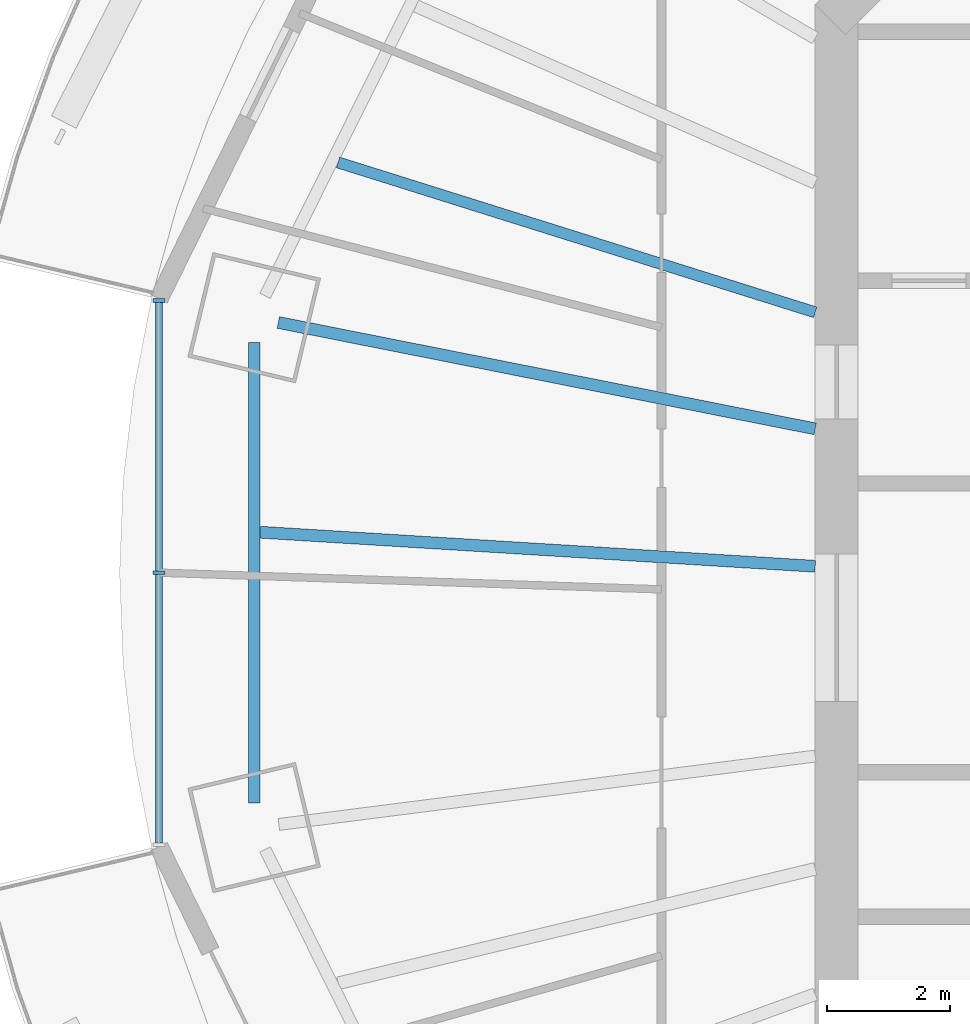
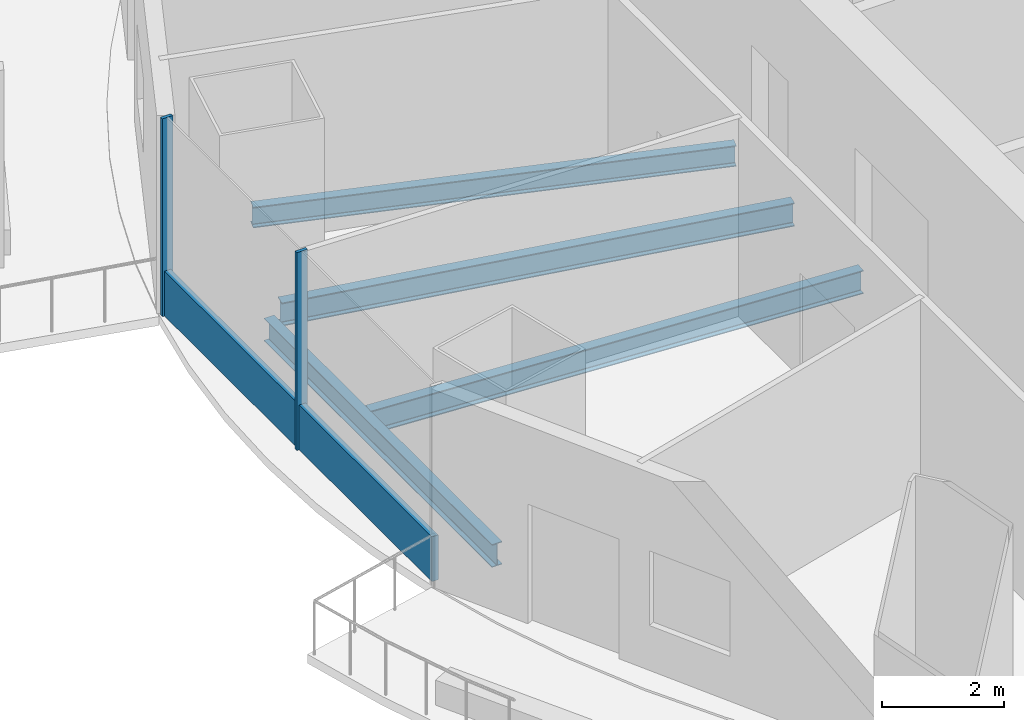
# One storey, part 3 of 16: 4 beams, 3 members, 1 element without a shape of its own.
"""IFC4 building model written with IfcOpenShell, lengths in metres."""

from ifc_helpers import new_model, si_unit, direction, frame, origin, origin_2d, place, context, subcontext, project, spatial, rectangle, i_section, extrude, material, material_profile, profile_set, type_object, element, aggregate, save


model = new_model("IFC4")

# Units and contexts
model_context = context("Model", 3, precision=1e-05, world=origin(), true_north=direction((0.0, 1.0)))
body_context = subcontext(model_context, "Body", "Model", "MODEL_VIEW")
ifc_project = project(units=[si_unit("LENGTHUNIT", "METRE"), si_unit("AREAUNIT", "SQUARE_METRE"), si_unit("VOLUMEUNIT", "CUBIC_METRE"), si_unit("PLANEANGLEUNIT", "RADIAN"), si_unit("MASSUNIT", "GRAM", prefix="KILO")], contexts=[model_context])

# Site, building, storey
site_placement = place(None, origin())
site = spatial("IfcSite", under=ifc_project, at=site_placement, CompositionType="ELEMENT")
building_placement = place(site_placement, origin())
building = spatial("IfcBuilding", under=site, at=building_placement, Name="Marenthal Gate Tower", CompositionType="ELEMENT")
storey_placement = place(building_placement, frame((0.0, 0.0, 338.449951171875)))
storey = spatial("IfcBuildingStorey", under=building, at=storey_placement, Name="L76", CompositionType="ELEMENT", Elevation=338.449951171875)

# Curtain wall, members
ifc_material_1 = material(Name="Aluminium and glass", Category="aluminium")
curtain_wall_type = type_object("IfcCurtainWallType", Name="Curtain wall typical high", PredefinedType="NOTDEFINED", material=ifc_material_1)
curtain_wall_placement = place(storey_placement, origin())
curtain_wall = element("IfcCurtainWall", 1, at=curtain_wall_placement, inside=storey, type_object=curtain_wall_type, Name="Curtain wall L76 bay 8", PredefinedType="NOTDEFINED")
ifc_material_2 = material(Name="Aluminium", Category="aluminium")
ifc_material_profile_1 = material_profile(ifc_material_2, rectangle(XDim=0.199951171875, YDim=0.06005859375, at=origin_2d()), Name="60x200 aluminium mullion")
ifc_profile_set_1 = profile_set([ifc_material_profile_1], Name="Aluminium")
member_type_1 = type_object("IfcMemberType", Name="Mullion 60x200 typical high", PredefinedType="MULLION", material=ifc_profile_set_1)
member_1_placement = place(storey_placement, frame((-27.02734375, 5.326416015625, 0.0), z_axis=(0.0, 0.0, 1.0), x_axis=(1.0, 0.0, 0.0)))
member_1 = element("IfcMember", 2, at=member_1_placement, type_object=member_type_1, Name="Mullion L76 bay 8.1", PredefinedType="MULLION", context=body_context, shape_type="SweptSolid", body=[
    extrude(rectangle(XDim=0.199951171875, YDim=0.06005859375, at=origin_2d()), origin(), (0.0, 0.0, 1.0), 3.969970703125),
])
member_2_placement = place(storey_placement, frame((-27.02734375, 0.89990234375, 0.0), z_axis=(0.0, 0.0, 1.0), x_axis=(1.0, 0.0, 0.0)))
member_2 = element("IfcMember", 3, at=member_2_placement, type_object=member_type_1, Name="Mullion L76 bay 8.2", PredefinedType="MULLION", context=body_context, shape_type="SweptSolid", body=[
    extrude(rectangle(XDim=0.199951171875, YDim=0.06005859375, at=origin_2d()), origin(), (0.0, 0.0, 1.0), 3.969970703125),
])
ifc_material_3 = material(Name="Aluminium", Category="aluminium")
ifc_material_profile_2 = material_profile(ifc_material_3, rectangle(XDim=0.1201171875, YDim=0.89990234375, at=origin_2d()), Name="120x900 aluminium transom")
ifc_profile_set_2 = profile_set([ifc_material_profile_2], Name="Aluminium")
member_type_2 = type_object("IfcMemberType", Name="Transom 120x900 typical high", PredefinedType="USERDEFINED", material=ifc_profile_set_2)
member_3_placement = place(storey_placement, frame((-27.02734375, 5.29638671875, 0.449951171875), z_axis=(0.0, -1.0, 0.0), x_axis=(1.0, 0.0, 0.0)))
member_3 = element("IfcMember", 4, at=member_3_placement, type_object=member_type_2, Name="Transom L76 bay 8", ObjectType="TRANSOM", PredefinedType="USERDEFINED", context=body_context, shape_type="SweptSolid", body=[
    extrude(rectangle(XDim=0.1201171875, YDim=0.89990234375, at=origin_2d()), origin(), (0.0, 0.0, 1.0), 8.792724609375),
])
aggregate(curtain_wall, [member_1, member_2, member_3])

# Beams
ifc_material_4 = material(Name="Steel S355", Category="steel")
ifc_material_profile_3 = material_profile(ifc_material_4, i_section(OverallWidth=0.180908203125, OverallDepth=0.4169921875, WebThickness=0.010986328125, FlangeThickness=0.018310546875, FilletRadius=0.01025390625, at=origin_2d()), Name="W410X85")
ifc_profile_set_3 = profile_set([ifc_material_profile_3], Name="Steel S355")
beam_type_1 = type_object("IfcBeamType", Name="W410X85 beam", PredefinedType="BEAM", material=ifc_profile_set_3)
beam_1_placement = place(storey_placement, frame((-24.11279296875, 7.573974609375, -0.388427734375), z_axis=(0.954036864189, -0.299689275365, 0.0), x_axis=(0.299689275365, 0.954036864189, 0.0)))
element("IfcBeam", 5, at=beam_1_placement, inside=storey, type_object=beam_type_1, Name="BM-L76-27", PredefinedType="BEAM", context=body_context, shape_type="SweptSolid", body=[
    extrude(i_section(OverallWidth=0.180908203125, OverallDepth=0.4169921875, WebThickness=0.010986328125, FlangeThickness=0.018310546875, FilletRadius=0.01025390625, at=origin_2d()), origin(), (0.0, 0.0, 1.0), 8.13671875),
])
ifc_material_5 = material(Name="Steel S355", Category="steel")
ifc_material_profile_4 = material_profile(ifc_material_5, i_section(OverallWidth=0.19091796875, OverallDepth=0.45703125, WebThickness=0.009033203125, FlangeThickness=0.014404296875, FilletRadius=0.01025390625, at=origin_2d()), Name="W460X74")
ifc_profile_set_4 = profile_set([ifc_material_profile_4], Name="Steel S355")
beam_type_2 = type_object("IfcBeamType", Name="W460X74 beam", PredefinedType="BEAM", material=ifc_profile_set_4)
beam_2_placement = place(storey_placement, frame((-25.477783203125, 4.648193359375, -0.408447265625), z_axis=(0.0, -1.0, 0.0), x_axis=(1.0, 0.0, 0.0)))
element("IfcBeam", 6, at=beam_2_placement, inside=storey, type_object=beam_type_2, Name="BM-L76-48", PredefinedType="BEAM", context=body_context, shape_type="SweptSolid", body=[
    extrude(i_section(OverallWidth=0.19091796875, OverallDepth=0.45703125, WebThickness=0.009033203125, FlangeThickness=0.014404296875, FilletRadius=0.01025390625, at=origin_2d()), origin(), (0.0, 0.0, 1.0), 7.49658203125),
])
ifc_material_6 = material(Name="Steel S355", Category="steel")
ifc_material_profile_5 = material_profile(ifc_material_6, i_section(OverallWidth=0.193115234375, OverallDepth=0.467041015625, WebThickness=0.011474609375, FlangeThickness=0.01904296875, FilletRadius=0.010009765625, at=origin_2d()), Name="W460X97")
ifc_profile_set_5 = profile_set([ifc_material_profile_5], Name="Steel S355")
beam_type_3 = type_object("IfcBeamType", Name="W460X97 beam", PredefinedType="BEAM", material=ifc_profile_set_5)
beam_3_placement = place(storey_placement, frame((-25.084716796875, 4.97021484375, -0.413330078125), z_axis=(0.980929218316, -0.19436529694, 0.0), x_axis=(0.19436529694, 0.980929218316, 0.0)))
element("IfcBeam", 7, at=beam_3_placement, inside=storey, type_object=beam_type_3, Name="BM-L76-08", PredefinedType="BEAM", context=body_context, shape_type="SweptSolid", body=[
    extrude(i_section(OverallWidth=0.193115234375, OverallDepth=0.467041015625, WebThickness=0.011474609375, FlangeThickness=0.01904296875, FilletRadius=0.010009765625, at=origin_2d()), origin(), (0.0, 0.0, 1.0), 8.904541015625),
])
beam_4_placement = place(storey_placement, frame((-25.382080078125, 1.557861328125, -0.413330078125), z_axis=(0.998121146567, -0.061271337312, 0.0), x_axis=(0.061271337312, 0.998121146567, 0.0)))
element("IfcBeam", 8, at=beam_4_placement, inside=storey, type_object=beam_type_3, Name="BM-L76-28", PredefinedType="BEAM", context=body_context, shape_type="SweptSolid", body=[
    extrude(i_section(OverallWidth=0.193115234375, OverallDepth=0.467041015625, WebThickness=0.011474609375, FlangeThickness=0.01904296875, FilletRadius=0.010009765625, at=origin_2d()), origin(), (0.0, 0.0, 1.0), 9.049072265625),
])

save(model, "model.ifc")
